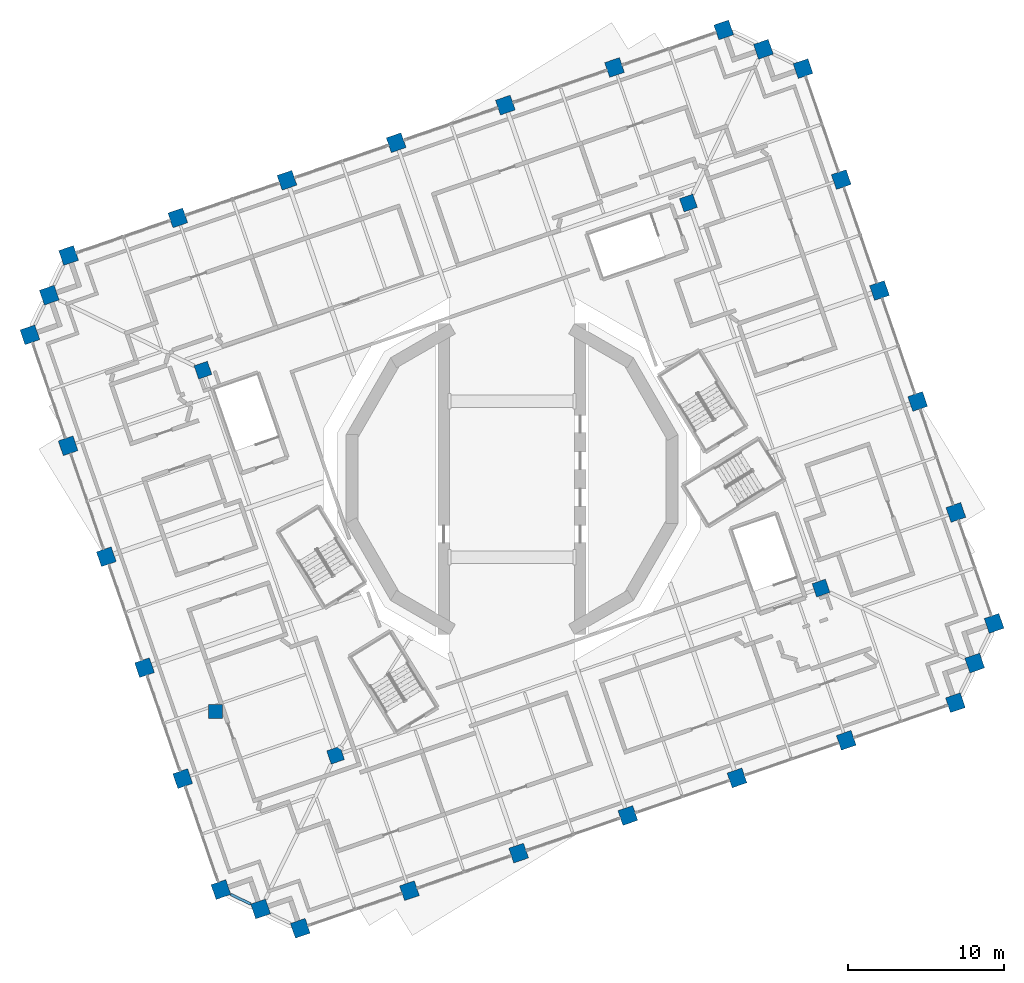
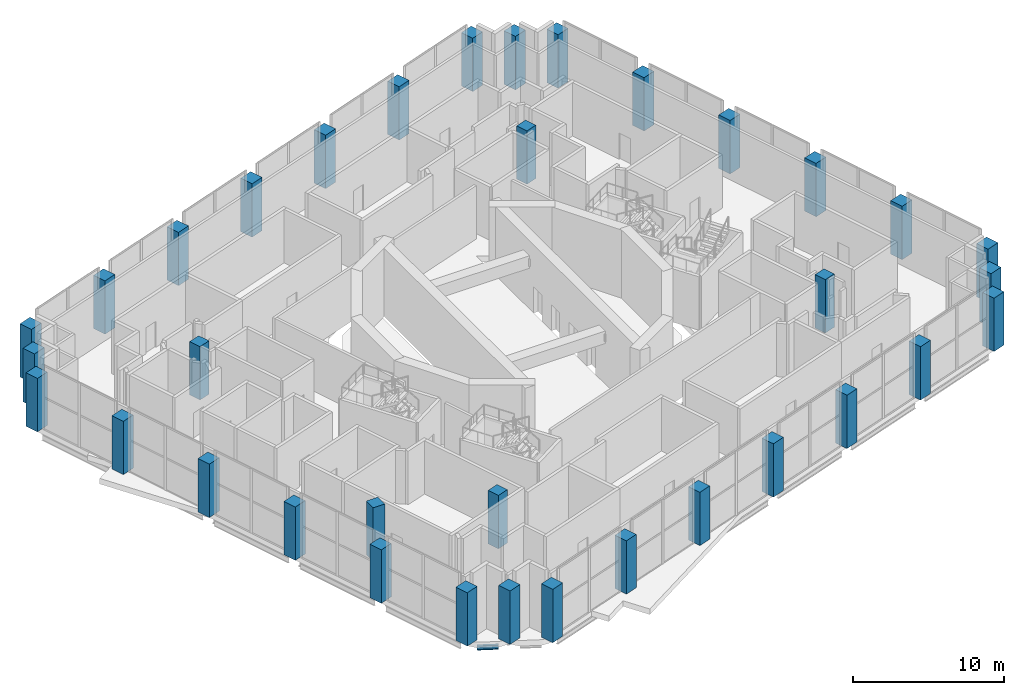
# One storey, part 1 of 20: 35 columns, 1 beam.
"""IFC4 building model written with IfcOpenShell, lengths in metres."""

import ifcopenshell
import ifcopenshell.guid

model = None  # the IFC model being written
_history = None  # IfcOwnerHistory: only IFC2X3 demands one
_inside = {}  # id of a spatial element -> (the spatial element, [elements in it])
_under = {}  # id of a project, library or spatial element -> (it, [spatial elements below it])
_declared = {}  # id of a project -> (the project, [libraries it declares])
_typed = {}  # id of a type object -> (the type object, [elements of that type])
_made_of = {}  # id of a material, layer set ... -> (it, [elements and type objects made of it])


def new_model(schema):
    """Start an empty IFC model of exactly this schema.

    Asked for "IFC4X3", IfcOpenShell would pick the latest addendum, in which some entities
    have other attributes; the version numbers below select the first issue.
    IFC2X3 requires an IfcOwnerHistory on every rooted entity: one is made here for all.
    """
    global model, _history
    if schema == "IFC4X3":
        model = ifcopenshell.file(schema_version=(4, 3, 0, 0))
    else:
        model = ifcopenshell.file(schema=schema)
    _inside.clear()
    _under.clear()
    _declared.clear()
    _typed.clear()
    _made_of.clear()
    _history = None
    if model.schema == "IFC2X3":
        org = make("IfcOrganization", Name="unknown")
        user = make(
            "IfcPersonAndOrganization",
            ThePerson=make("IfcPerson", FamilyName="unknown"),
            TheOrganization=org,
        )
        app = make(
            "IfcApplication",
            ApplicationDeveloper=org,
            Version="unknown",
            ApplicationFullName="unknown",
            ApplicationIdentifier="unknown",
        )
        _history = make(
            "IfcOwnerHistory",
            OwningUser=user,
            OwningApplication=app,
            ChangeAction="ADDED",
            CreationDate=0,
        )
    return model


def make(cls, **values):
    """One entity of the class cls with the attributes given. An attribute that is None is left unset."""
    return model.create_entity(
        cls, **{name: value for name, value in values.items() if value is not None}
    )


def rooted(cls, **values):
    """An entity with a GlobalId (a new one), such as an element, a storey or a relation."""
    return make(cls, GlobalId=ifcopenshell.guid.new(), OwnerHistory=_history, **values)


def si_unit(unit_type, name, prefix=None):
    """IfcSIUnit, for example si_unit("LENGTHUNIT", "METRE", prefix="MILLI")."""
    return make("IfcSIUnit", UnitType=unit_type, Prefix=prefix, Name=name)


def assignment(units):
    """IfcUnitAssignment: the units of a project."""
    return None if units is None else make("IfcUnitAssignment", Units=units)


def point(xyz):
    """IfcCartesianPoint."""
    return None if xyz is None else make("IfcCartesianPoint", Coordinates=xyz)


def direction(xyz):
    """IfcDirection."""
    return None if xyz is None else make("IfcDirection", DirectionRatios=xyz)


def frame(location, z_axis=None, x_axis=None):
    """IfcAxis2Placement3D, a coordinate frame: its origin and axes. An axis left out is left unset."""
    return make(
        "IfcAxis2Placement3D",
        Location=point(location),
        Axis=direction(z_axis),
        RefDirection=direction(x_axis),
    )


def frame_2d(location, x_axis=None):
    """IfcAxis2Placement2D, a coordinate frame in the plane: its origin and x axis."""
    return make(
        "IfcAxis2Placement2D", Location=point(location), RefDirection=direction(x_axis)
    )


def origin():
    """The frame at (0, 0, 0) with its axes left unset."""
    return frame((0.0, 0.0, 0.0))


def origin_2d():
    """The frame at (0, 0) in the plane with its x axis left unset."""
    return frame_2d((0.0, 0.0))


def place(relative_to, where):
    """IfcLocalPlacement: puts the frame where relative to a parent placement (None: the world)."""
    return make(
        "IfcLocalPlacement", PlacementRelTo=relative_to, RelativePlacement=where
    )


def context(
    kind, dimensions, precision=None, world=None, true_north=None, identifier=None
):
    """IfcGeometricRepresentationContext, for example the 3D "Model" context."""
    return make(
        "IfcGeometricRepresentationContext",
        ContextIdentifier=identifier,
        ContextType=kind,
        CoordinateSpaceDimension=dimensions,
        Precision=precision,
        WorldCoordinateSystem=world,
        TrueNorth=true_north,
    )


def subcontext(parent, identifier, kind, view, scale=None):
    """IfcGeometricRepresentationSubContext, for example "Body" below "Model"."""
    return make(
        "IfcGeometricRepresentationSubContext",
        ContextIdentifier=identifier,
        ContextType=kind,
        ParentContext=parent,
        TargetScale=scale,
        TargetView=view,
    )


def project(units=None, contexts=None):
    """IfcProject with its units and contexts."""
    return rooted(
        "IfcProject",
        Name="project",
        RepresentationContexts=contexts,
        UnitsInContext=assignment(units),
    )


def spatial(cls, under=None, at=None, **own):
    """A site, building, storey or space (cls), placed at a placement, below another one or the project."""
    s = rooted(cls, ObjectPlacement=at, **own)
    if under is not None:
        _under.setdefault(under.id(), (under, []))[1].append(s)
    return s


def profile(cls, at=None, kind="AREA", **sizes):
    """A parametric profile (cls). Its sizes go by their IFC names, for example OverallWidth=200.0."""
    return make(cls, ProfileType=kind, Position=at, **sizes)


def rectangle(**sizes):
    """IfcRectangleProfileDef."""
    return profile("IfcRectangleProfileDef", **sizes)


def i_section(**sizes):
    """IfcIShapeProfileDef."""
    return profile("IfcIShapeProfileDef", **sizes)


def extrude(swept, where, along, depth):
    """IfcExtrudedAreaSolid: the profile swept, set in the frame where, extruded along a direction by depth."""
    return make(
        "IfcExtrudedAreaSolid",
        SweptArea=swept,
        Position=where,
        ExtrudedDirection=direction(along),
        Depth=depth,
    )


def shape(context_of_items, identifier, shape_type, items):
    """IfcShapeRepresentation: the items that make up one representation, for example the "Body"."""
    return make(
        "IfcShapeRepresentation",
        ContextOfItems=context_of_items,
        RepresentationIdentifier=identifier,
        RepresentationType=shape_type,
        Items=items,
    )


def material(Name=None, Category=None):
    """IfcMaterial."""
    return make("IfcMaterial", Name=Name, Category=Category)


def material_profile(
    of_material, cross_section, Name=None, Category=None, Priority=None
):
    """IfcMaterialProfile: a cross section and its material."""
    return make(
        "IfcMaterialProfile",
        Name=Name,
        Material=of_material,
        Profile=cross_section,
        Priority=Priority,
        Category=Category,
    )


def profile_set(profiles, Name=None, composite=None):
    """IfcMaterialProfileSet."""
    return make(
        "IfcMaterialProfileSet",
        Name=Name,
        MaterialProfiles=profiles,
        CompositeProfile=composite,
    )


def made_of(thing, what):
    """Note that an element or type object is made of a material, layer set ...; save() writes the relation."""
    if what is not None:
        _made_of.setdefault(what.id(), (what, []))[1].append(thing)
    return thing


def type_object(cls, material=None, **own):
    """A type object (cls), such as IfcWallType, which elements share."""
    return made_of(rooted(cls, **own), material)


def element(
    cls,
    number,
    at=None,
    inside=None,
    cuts=None,
    type_object=None,
    material=None,
    context=None,
    identifier="Body",
    shape_type=None,
    held_by="IfcProductDefinitionShape",
    body=None,
    shapes=None,
    **own,
):
    """One element of the class cls, such as IfcWall. Its Tag is "e" and its number.

    at: its placement. inside: the storey or other place that contains it. cuts: it is an
    opening in that element (IfcRelVoidsElement). A single representation is given by context,
    identifier, shape_type and body (its items); several are given by shapes. held_by: the class
    of the entity that holds the representations. save() writes the other relations.
    """
    e = rooted(cls, Tag="e%d" % number, ObjectPlacement=at, **own)
    if body is not None:
        shapes = [shape(context, identifier, shape_type, body)]
    if shapes is not None:
        e.Representation = make(held_by, Representations=shapes)
    if inside is not None:
        _inside.setdefault(inside.id(), (inside, []))[1].append(e)
    if cuts is not None:
        rooted(
            "IfcRelVoidsElement", RelatingBuildingElement=cuts, RelatedOpeningElement=e
        )
    if type_object is not None:
        _typed.setdefault(type_object.id(), (type_object, []))[1].append(e)
    return made_of(e, material)


def aggregate(whole, parts):
    """IfcRelAggregates: a whole, such as a stair, and the parts it consists of."""
    return rooted("IfcRelAggregates", RelatingObject=whole, RelatedObjects=parts)


def save(model, path):
    """Write the relations noted so far, then the file.

    IfcRelAggregates (storeys below a building ...), IfcRelContainedInSpatialStructure (elements
    in a storey), IfcRelDefinesByType, IfcRelAssociatesMaterial and IfcRelDeclares: one each for
    every whole, place, type object, material and project.
    """
    for whole, parts in _under.values():
        aggregate(whole, parts)
    for where, things in _inside.values():
        rooted(
            "IfcRelContainedInSpatialStructure",
            RelatedElements=things,
            RelatingStructure=where,
        )
    for kind, things in _typed.values():
        rooted("IfcRelDefinesByType", RelatedObjects=things, RelatingType=kind)
    for what, things in _made_of.values():
        rooted("IfcRelAssociatesMaterial", RelatedObjects=things, RelatingMaterial=what)
    for by, libraries in _declared.values():
        rooted("IfcRelDeclares", RelatingContext=by, RelatedDefinitions=libraries)
    model.write(path)


model = new_model("IFC4")

# Units and contexts
model_context = context("Model", 3, precision=1e-05, world=origin(), true_north=direction((0.0, 1.0)))
body_context = subcontext(model_context, "Body", "Model", "MODEL_VIEW")
ifc_project = project(units=[si_unit("LENGTHUNIT", "METRE"), si_unit("AREAUNIT", "SQUARE_METRE"), si_unit("VOLUMEUNIT", "CUBIC_METRE"), si_unit("PLANEANGLEUNIT", "RADIAN"), si_unit("MASSUNIT", "GRAM", prefix="KILO")], contexts=[model_context])

# Site, building, storey
site_placement = place(None, origin())
site = spatial("IfcSite", under=ifc_project, at=site_placement, CompositionType="ELEMENT")
building_placement = place(site_placement, origin())
building = spatial("IfcBuilding", under=site, at=building_placement, Name="Cantera Rosa Tower", CompositionType="ELEMENT")
storey_placement = place(building_placement, frame((0.0, 0.0, 142.10009765625)))
storey = spatial("IfcBuildingStorey", under=building, at=storey_placement, Name="L30", CompositionType="ELEMENT", Elevation=142.10009765625)

# Columns
ifc_material_1 = material(Name="Concrete C70/85", Category="concrete")
ifc_material_profile_1 = material_profile(ifc_material_1, rectangle(XDim=1.0, YDim=1.0, at=origin_2d()), Name="RC COLUMN RC1000X1000 C70/85")
ifc_profile_set_1 = profile_set([ifc_material_profile_1], Name="Concrete C70/85")
column_type_1 = type_object("IfcColumnType", Name="RC COLUMN RC1000X1000 C70/85", PredefinedType="COLUMN", material=ifc_profile_set_1)
for number, where, z_axis, x_axis, name in (
    (1, (30.893310546875, -9.245849609375, 0.0), (0.0, 0.0, 1.0), (0.945518575599, 0.325568154457, 0.0), "C-Z2-01 L30"),
    (2, (28.445068359375, -2.135498046875, 0.0), (0.0, 0.0, 1.0), (0.945518575599, 0.325568154457, 0.0), "C-Z2-02 L30"),
    (3, (25.996826171875, 4.974853515625, 0.0), (0.0, 0.0, 1.0), (0.945518575599, 0.325568154457, 0.0), "C-Z2-03 L30"),
    (4, (23.54833984375, 12.0849609375, 0.0), (0.0, 0.0, 1.0), (0.945518575599, 0.325568154457, 0.0), "C-Z2-04 L30"),
    (5, (21.10009765625, 19.1953125, 0.0), (0.0, 0.0, 1.0), (0.945518575599, 0.325568154457, 0.0), "C-Z2-05 L30"),
    (6, (18.65185546875, 26.3056640625, 0.0), (0.0, 0.0, 1.0), (0.945518575599, 0.325568154457, 0.0), "C-Z2-06 L30"),
    (7, (16.109619140625, 27.545654296875, 0.0), (0.0, 0.0, 1.0), (0.945518575599, 0.325568154457, 0.0), "C-Z2-07 L30"),
    (8, (13.567626953125, 28.785400390625, 0.0), (0.0, 0.0, 1.0), (0.945518575599, 0.325568154457, 0.0), "C-Z2-08 L30"),
    (9, (6.57080078125, 26.376220703125, 0.0), (0.0, 0.0, 1.0), (0.945518575599, 0.325568154457, 0.0), "C-Z2-09 L30"),
    (10, (-0.426025390625, 23.967041015625, 0.0), (0.0, 0.0, 1.0), (0.945518575599, 0.325568154457, 0.0), "C-Z2-10 L30"),
    (11, (-7.4228515625, 21.557861328125, 0.0), (0.0, 0.0, 1.0), (0.945518575599, 0.325568154457, 0.0), "C-Z2-11 L30"),
    (12, (-14.419677734375, 19.148681640625, 0.0), (0.0, 0.0, 1.0), (0.945518575599, 0.325568154457, 0.0), "C-Z2-12 L30"),
    (13, (-21.416748046875, 16.739501953125, 0.0), (0.0, 0.0, 1.0), (0.945518575599, 0.325568154457, 0.0), "C-Z2-13 L30"),
    (14, (-28.41357421875, 14.330322265625, 0.0), (0.0, 0.0, 1.0), (0.945518575599, 0.325568154457, 0.0), "C-Z2-14 L30"),
    (15, (-29.6533203125, 11.7880859375, 0.0), (0.0, 0.0, 1.0), (0.945518575599, 0.325568154457, 0.0), "C-Z2-15 L30"),
    (16, (-30.893310546875, 9.245849609375, 0.0), (0.0, 0.0, 1.0), (0.945518575599, 0.325568154457, 0.0), "C-Z2-16 L30"),
    (17, (-28.445068359375, 2.135498046875, 0.0), (0.0, 0.0, 1.0), (0.945518575599, 0.325568154457, 0.0), "C-Z2-17 L30"),
    (18, (-25.996826171875, -4.974853515625, 0.0), (0.0, 0.0, 1.0), (0.945518575599, 0.325568154457, 0.0), "C-Z2-18 L30"),
    (19, (-23.54833984375, -12.0849609375, 0.0), (0.0, 0.0, 1.0), (0.945518575599, 0.325568154457, 0.0), "C-Z2-19 L30"),
    (20, (-21.10009765625, -19.1953125, 0.0), (0.0, 0.0, 1.0), (0.945518575599, 0.325568154457, 0.0), "C-Z2-20 L30"),
    (21, (-18.65185546875, -26.3056640625, 0.0), (0.0, 0.0, 1.0), (0.945518575599, 0.325568154457, 0.0), "C-Z2-21 L30"),
    (22, (-16.109619140625, -27.545654296875, 0.0), (0.0, 0.0, 1.0), (0.945518575599, 0.325568154457, 0.0), "C-Z2-22 L30"),
    (23, (-13.567626953125, -28.785400390625, 0.0), (0.0, 0.0, 1.0), (0.945518575599, 0.325568154457, 0.0), "C-Z2-23 L30"),
    (24, (-6.57080078125, -26.376220703125, 0.0), (0.0, 0.0, 1.0), (0.945518575599, 0.325568154457, 0.0), "C-Z2-24 L30"),
    (25, (0.426025390625, -23.967041015625, 0.0), (0.0, 0.0, 1.0), (0.945518575599, 0.325568154457, 0.0), "C-Z2-25 L30"),
    (26, (7.4228515625, -21.557861328125, 0.0), (0.0, 0.0, 1.0), (0.945518575599, 0.325568154457, 0.0), "C-Z2-26 L30"),
    (27, (14.419677734375, -19.148681640625, 0.0), (0.0, 0.0, 1.0), (0.945518575599, 0.325568154457, 0.0), "C-Z2-27 L30"),
    (28, (21.416748046875, -16.739501953125, 0.0), (0.0, 0.0, 1.0), (0.945518575599, 0.325568154457, 0.0), "C-Z2-28 L30"),
    (29, (28.41357421875, -14.330322265625, 0.0), (0.0, 0.0, 1.0), (0.945518575599, 0.325568154457, 0.0), "C-Z2-29 L30"),
    (30, (29.6533203125, -11.7880859375, 0.0), (0.0, 0.0, 1.0), (0.945518575599, 0.325568154457, 0.0), "C-Z2-30 L30"),
):
    element("IfcColumn", number, at=place(storey_placement, frame(where, z_axis=z_axis, x_axis=x_axis)), inside=storey, type_object=column_type_1, Name=name, PredefinedType="COLUMN", context=body_context, shape_type="SweptSolid", body=[
        extrude(rectangle(XDim=1.0, YDim=1.0, at=origin_2d()), origin(), (0.0, 0.0, 1.0), 4.2998046875),
    ])
ifc_material_2 = material(Name="Concrete C70/85", Category="concrete")
ifc_material_profile_2 = material_profile(ifc_material_2, rectangle(XDim=0.89990234375, YDim=0.89990234375, at=origin_2d()), Name="RC COLUMN RC900X900 C70/85")
ifc_profile_set_2 = profile_set([ifc_material_profile_2], Name="Concrete C70/85")
column_type_2 = type_object("IfcColumnType", Name="RC COLUMN RC900X900 C70/85", PredefinedType="COLUMN", material=ifc_profile_set_2)
column_placement = place(storey_placement, frame((-19.004150390625, -14.906005859375, 0.0), z_axis=(0.0, 0.0, 1.0), x_axis=(1.0, 0.0, 0.0)))
element("IfcColumn", 31, at=column_placement, inside=storey, type_object=column_type_2, Name="CP-L31-2 L30", PredefinedType="COLUMN", context=body_context, shape_type="SweptSolid", body=[
    extrude(rectangle(XDim=0.89990234375, YDim=0.89990234375, at=origin_2d()), origin(), (0.0, 0.0, 1.0), 4.2998046875),
])
ifc_material_3 = material(Name="Concrete C70/85", Category="concrete")
ifc_material_profile_3 = material_profile(ifc_material_3, rectangle(XDim=0.89990234375, YDim=0.89990234375, at=origin_2d()), Name="RC RING COLUMN RC900X900 C70/85")
ifc_profile_set_3 = profile_set([ifc_material_profile_3], Name="Concrete C70/85")
column_type_3 = type_object("IfcColumnType", Name="RC RING COLUMN RC900X900 C70/85", PredefinedType="COLUMN", material=ifc_profile_set_3)
for number, where, z_axis, x_axis, name in (
    (32, (11.30517578125, 17.694580078125, 0.0), (0.0, 0.0, 1.0), (0.945518575599, 0.325568154457, 0.0), "CI-Z2-1 L30"),
    (33, (-19.802490234375, 6.9833984375, 0.0), (0.0, 0.0, 1.0), (0.945518575599, 0.325568154457, 0.0), "CI-Z2-2 L30"),
    (34, (-11.30517578125, -17.694580078125, 0.0), (0.0, 0.0, 1.0), (0.945518575599, 0.325568154457, 0.0), "CI-Z2-3 L30"),
    (35, (19.802490234375, -6.9833984375, 0.0), (0.0, 0.0, 1.0), (0.945518575599, 0.325568154457, 0.0), "CI-Z2-4 L30"),
):
    element("IfcColumn", number, at=place(storey_placement, frame(where, z_axis=z_axis, x_axis=x_axis)), inside=storey, type_object=column_type_3, Name=name, PredefinedType="COLUMN", context=body_context, shape_type="SweptSolid", body=[
        extrude(rectangle(XDim=0.89990234375, YDim=0.89990234375, at=origin_2d()), origin(), (0.0, 0.0, 1.0), 4.2998046875),
    ])

# Beam
ifc_material_4 = material(Name="Steel ASTM A992 (Fy 345 MPa)", Category="steel")
ifc_material_profile_4 = material_profile(ifc_material_4, i_section(OverallWidth=0.1708984375, OverallDepth=0.35595703125, WebThickness=0.00732421875, FlangeThickness=0.01171875, FilletRadius=0.010009765625, at=origin_2d()), Name="W360X51")
ifc_profile_set_4 = profile_set([ifc_material_profile_4], Name="Steel ASTM A992 (Fy 345 MPa)")
beam_type = type_object("IfcBeamType", Name="STEEL SPANDREL BEAM W360X51", PredefinedType="SPANDREL", material=ifc_profile_set_4)
beam_placement = place(storey_placement, frame((-18.016357421875, -26.61572265625, -0.628173828125), z_axis=(0.898803287583, -0.438352198842, 0.0), x_axis=(0.438352198842, 0.898803287583, 0.0)))
element("IfcBeam", 36, at=beam_placement, inside=storey, type_object=beam_type, Name="EB-Z2-21 L30", PredefinedType="SPANDREL", context=body_context, shape_type="SweptSolid", body=[
    extrude(i_section(OverallWidth=0.1708984375, OverallDepth=0.35595703125, WebThickness=0.00732421875, FlangeThickness=0.01171875, FilletRadius=0.010009765625, at=origin_2d()), origin(), (0.0, 0.0, 1.0), 1.4140625),
])

save(model, "model.ifc")
